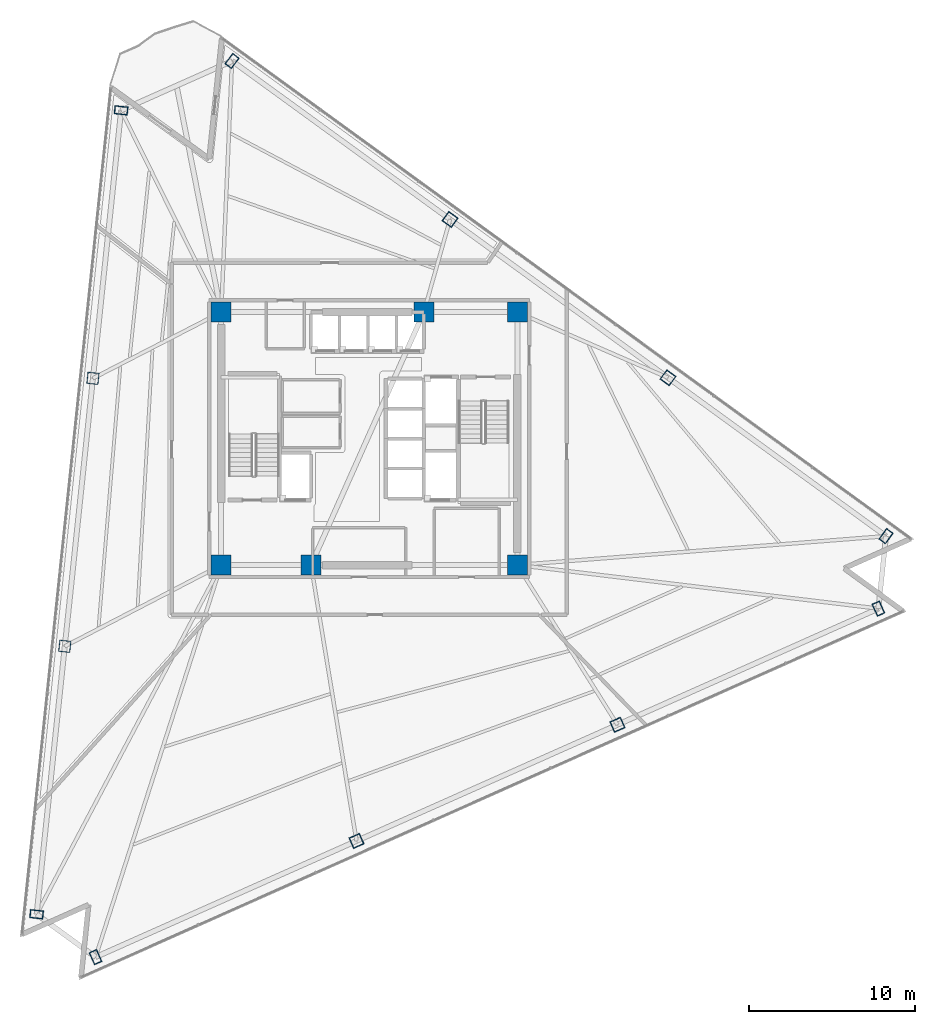
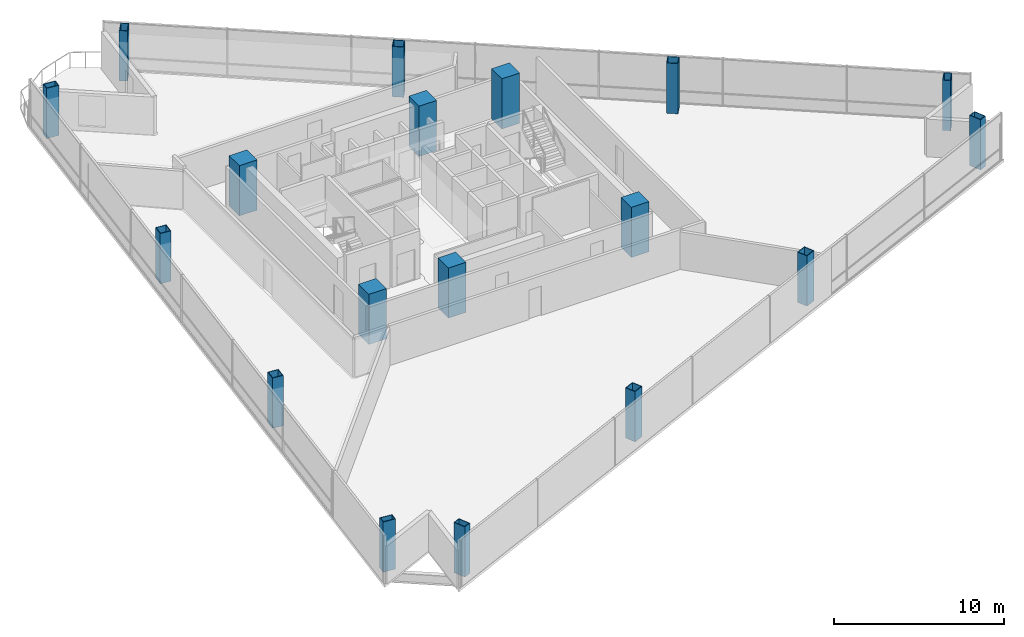
# One storey, part 1 of 16: 18 columns.
"""IFC4 building model written with IfcOpenShell, lengths in metres."""

from ifc_helpers import new_model, si_unit, direction, frame, origin, origin_2d, place, context, subcontext, project, spatial, rectangle, hollow_rectangle, extrude, material, material_profile, profile_set, type_object, element, save


model = new_model("IFC4")

# Units and contexts
model_context = context("Model", 3, precision=1e-05, world=origin(), true_north=direction((0.0, 1.0)))
body_context = subcontext(model_context, "Body", "Model", "MODEL_VIEW")
ifc_project = project(units=[si_unit("LENGTHUNIT", "METRE"), si_unit("AREAUNIT", "SQUARE_METRE"), si_unit("VOLUMEUNIT", "CUBIC_METRE"), si_unit("PLANEANGLEUNIT", "RADIAN"), si_unit("MASSUNIT", "GRAM", prefix="KILO")], contexts=[model_context])

# Site, building, storey
site_placement = place(None, origin())
site = spatial("IfcSite", under=ifc_project, at=site_placement, CompositionType="ELEMENT")
building_placement = place(site_placement, origin())
building = spatial("IfcBuilding", under=site, at=building_placement, Name="Tharavind Bronze Gate", CompositionType="ELEMENT")
storey_placement = place(building_placement, frame((0.0, 0.0, 123.25)))
storey = spatial("IfcBuildingStorey", under=building, at=storey_placement, Name="L31", CompositionType="ELEMENT", Elevation=123.25)

# Columns
ifc_material_1 = material(Name="Steel S460", Category="steel")
ifc_material_profile_1 = material_profile(ifc_material_1, hollow_rectangle(XDim=0.5, YDim=0.800048828125, WallThickness=0.0400390625, at=origin_2d()), Name="RHS800X500X40")
ifc_profile_set_1 = profile_set([ifc_material_profile_1], Name="Steel S460")
column_type_1 = type_object("IfcColumnType", Name="CORNER NOTCH COLUMN RHS800X500", PredefinedType="COLUMN", material=ifc_profile_set_1)
for number, where, z_axis, x_axis, name in (
    (1, (-14.91748046875, 19.7314453125, 0.0), (0.0, 0.0, 1.0), (0.104530199036, 0.99452171293, 0.0), "L31 perimeter column S1C1"),
    (2, (-19.9970703125, -28.597900390625, 0.0), (0.0, 0.0, 1.0), (0.104530199036, 0.99452171293, 0.0), "L31 perimeter column S1C4"),
    (3, (-16.45361328125, -31.17236328125, 0.0), (0.0, 0.0, 1.0), (0.913545457643, 0.406736643076, 0.0), "L31 perimeter column S2C1"),
    (4, (30.60791015625, -10.218994140625, 0.0), (0.0, 0.0, 1.0), (0.913545457643, 0.406736643076, 0.0), "L31 perimeter column S2C4"),
    (5, (31.06591796875, -5.863037109375, 0.0), (0.0, 0.0, 1.0), (-0.809016994375, 0.587785252292, 0.0), "L31 perimeter column S3C1"),
    (6, (-8.24853515625, 22.70068359375, 0.0), (0.0, 0.0, 1.0), (-0.809016994375, 0.587785252292, 0.0), "L31 perimeter column S3C4"),
):
    element("IfcColumn", number, at=place(storey_placement, frame(where, z_axis=z_axis, x_axis=x_axis)), inside=storey, type_object=column_type_1, Name=name, PredefinedType="COLUMN", context=body_context, shape_type="SweptSolid", body=[
        extrude(hollow_rectangle(XDim=0.5, YDim=0.800048828125, WallThickness=0.0400390625, at=origin_2d()), origin(), (0.0, 0.0, 1.0), 3.60009765625),
    ])
ifc_material_2 = material(Name="Concrete C60/75", Category="concrete")
ifc_material_profile_2 = material_profile(ifc_material_2, rectangle(XDim=1.199951171875, YDim=1.199951171875, at=origin_2d()), Name="RCCOL1200")
ifc_profile_set_2 = profile_set([ifc_material_profile_2], Name="Concrete C60/75")
column_type_2 = type_object("IfcColumnType", Name="MEGA CORE COLUMN 1200", PredefinedType="COLUMN", material=ifc_profile_set_2)
for number, where, z_axis, x_axis, name in (
    (7, (-8.89990234375, -7.60009765625, 0.0), (0.0, 0.0, 1.0), (1.0, 0.0, 0.0), "L31 core mega column MC1"),
    (8, (-3.5, -7.60009765625, 0.0), (0.0, 0.0, 1.0), (1.0, 0.0, 0.0), "L31 core mega column MC2"),
    (9, (8.89990234375, -7.60009765625, 0.0), (0.0, 0.0, 1.0), (1.0, 0.0, 0.0), "L31 core mega column MC3"),
    (10, (8.89990234375, 7.60009765625, 0.0), (0.0, 0.0, 1.0), (1.0, 0.0, 0.0), "L31 core mega column MC4"),
    (11, (3.280029296875, 7.60009765625, 0.0), (0.0, 0.0, 1.0), (1.0, 0.0, 0.0), "L31 core mega column MC5"),
    (12, (-8.89990234375, 7.60009765625, 0.0), (0.0, 0.0, 1.0), (1.0, 0.0, 0.0), "L31 core mega column MC6"),
):
    element("IfcColumn", number, at=place(storey_placement, frame(where, z_axis=z_axis, x_axis=x_axis)), inside=storey, type_object=column_type_2, Name=name, PredefinedType="COLUMN", context=body_context, shape_type="SweptSolid", body=[
        extrude(rectangle(XDim=1.199951171875, YDim=1.199951171875, at=origin_2d()), origin(), (0.0, 0.0, 1.0), 3.60009765625),
    ])
ifc_material_profile_3 = material_profile(ifc_material_1, hollow_rectangle(XDim=0.699951171875, YDim=0.699951171875, WallThickness=0.0400390625, at=origin_2d()), Name="SHS700X40")
ifc_profile_set_3 = profile_set([ifc_material_profile_3], Name="Steel S460")
column_type_3 = type_object("IfcColumnType", Name="PERIMETER BOX COLUMN SHS700", PredefinedType="COLUMN", material=ifc_profile_set_3)
for number, where, z_axis, x_axis, name in (
    (13, (-16.610595703125, 3.62158203125, 0.0), (0.0, 0.0, 1.0), (0.104530199036, 0.99452171293, 0.0), "L31 perimeter column S1C2"),
    (14, (-18.303955078125, -12.488037109375, 0.0), (0.0, 0.0, 1.0), (0.104530199036, 0.99452171293, 0.0), "L31 perimeter column S1C3"),
    (15, (-0.766357421875, -24.18798828125, 0.0), (0.0, 0.0, 1.0), (0.913545457643, 0.406736643076, 0.0), "L31 perimeter column S2C2"),
    (16, (14.9208984375, -17.20361328125, 0.0), (0.0, 0.0, 1.0), (0.913545457643, 0.406736643076, 0.0), "L31 perimeter column S2C3"),
    (17, (17.961181640625, 3.658203125, 0.0), (0.0, 0.0, 1.0), (-0.809016994375, 0.587785252292, 0.0), "L31 perimeter column S3C2"),
    (18, (4.856201171875, 13.179443359375, 0.0), (0.0, 0.0, 1.0), (-0.809016994375, 0.587785252292, 0.0), "L31 perimeter column S3C3"),
):
    element("IfcColumn", number, at=place(storey_placement, frame(where, z_axis=z_axis, x_axis=x_axis)), inside=storey, type_object=column_type_3, Name=name, PredefinedType="COLUMN", context=body_context, shape_type="SweptSolid", body=[
        extrude(hollow_rectangle(XDim=0.699951171875, YDim=0.699951171875, WallThickness=0.0400390625, at=origin_2d()), origin(), (0.0, 0.0, 1.0), 3.60009765625),
    ])

save(model, "model.ifc")
